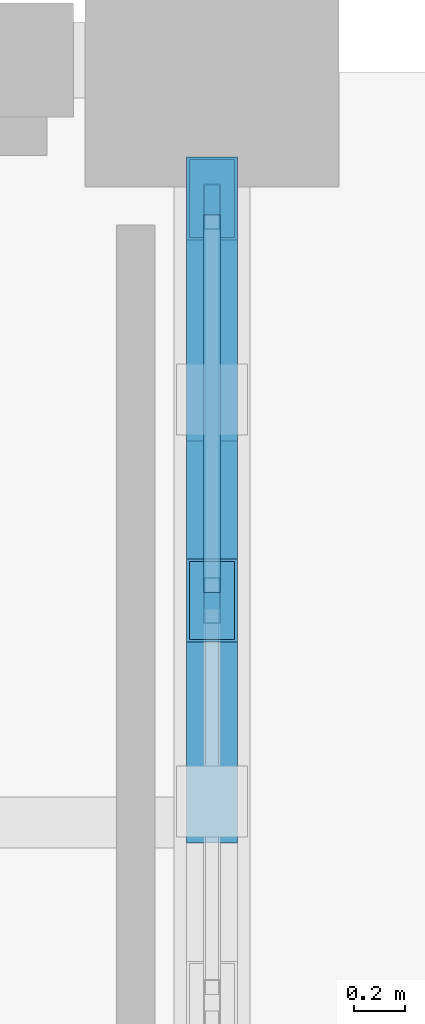
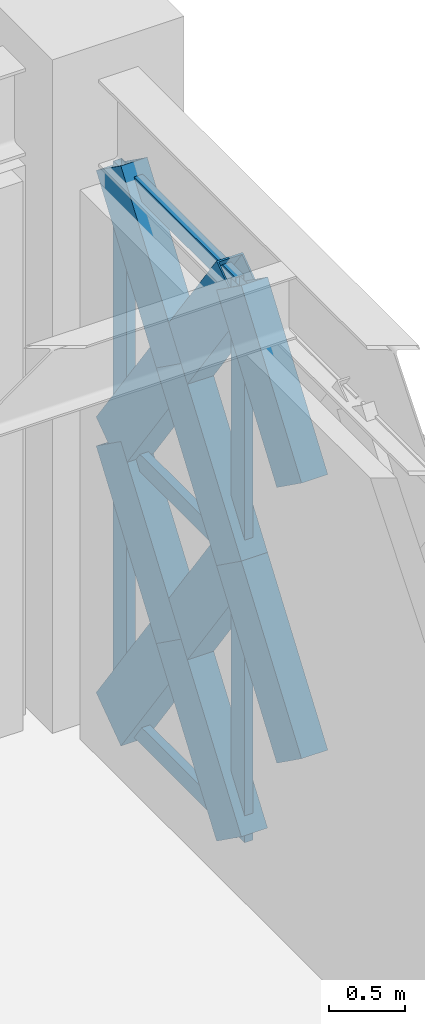
# One storey, part 49 of 140: 13 members, 1 element without a shape of its own.
"""IFC4 building model written with IfcOpenShell, lengths in metres."""

from ifc_helpers import new_model, si_unit, direction, frame, origin, origin_2d, place, context, subcontext, project, spatial, hollow_rectangle, extrude, material, material_profile, profile_set, type_object, element, aggregate, save


model = new_model("IFC4")

# Units and contexts
model_context = context("Model", 3, precision=1e-05, world=origin(), true_north=direction((0.0, 1.0)))
body_context = subcontext(model_context, "Body", "Model", "MODEL_VIEW")
ifc_project = project(units=[si_unit("LENGTHUNIT", "METRE"), si_unit("AREAUNIT", "SQUARE_METRE"), si_unit("VOLUMEUNIT", "CUBIC_METRE"), si_unit("PLANEANGLEUNIT", "RADIAN"), si_unit("MASSUNIT", "GRAM", prefix="KILO")], contexts=[model_context])

# Site, building, storey
site_placement = place(None, origin())
site = spatial("IfcSite", under=ifc_project, at=site_placement, CompositionType="ELEMENT")
building_placement = place(site_placement, origin())
building = spatial("IfcBuilding", under=site, at=building_placement, Name="Haizhuo Lancet Aquarium", CompositionType="ELEMENT")
storey_placement = place(building_placement, origin())
storey = spatial("IfcBuildingStorey", under=building, at=storey_placement, Name="L00", CompositionType="ELEMENT", Elevation=0.0)

# Curtain wall, members
ifc_material_1 = material(Name="Aluminium 6063-T6", Category="aluminium")
curtain_wall_type = type_object("IfcCurtainWallType", Name="CWD-7910x4420", PredefinedType="NOTDEFINED", material=ifc_material_1)
curtain_wall_placement = place(storey_placement, origin())
curtain_wall = element("IfcCurtainWall", 1, at=curtain_wall_placement, inside=storey, type_object=curtain_wall_type, Name="L00 curtain wall CW-V2-L00-016", PredefinedType="NOTDEFINED")
ifc_material_profile_1 = material_profile(ifc_material_1, hollow_rectangle(XDim=0.06494140625, YDim=0.179931640625, WallThickness=0.00390625, at=origin_2d()), Name="ALU-M 65x180x4")
ifc_profile_set_1 = profile_set([ifc_material_profile_1], Name="Aluminium 6063-T6")
member_type_1 = type_object("IfcMemberType", Name="CW-MUL-1", PredefinedType="MULLION", material=ifc_profile_set_1)
member_1_placement = place(storey_placement, frame((-36.0, 26.422119140625, 0.0), z_axis=(0.0, 0.0, 1.0), x_axis=(1.0, 0.0, 0.0)))
member_1 = element("IfcMember", 2, at=member_1_placement, type_object=member_type_1, Name="CWD-79x44 mullion 1", PredefinedType="MULLION", context=body_context, shape_type="SweptSolid", body=[
    extrude(hollow_rectangle(XDim=0.06494140625, YDim=0.179931640625, WallThickness=0.00390625, at=origin_2d()), origin(), (0.0, 0.0, 1.0), 4.419921875),
])
member_2_placement = place(storey_placement, frame((-36.0, 24.873046875, 0.0), z_axis=(0.0, 0.0, 1.0), x_axis=(1.0, 0.0, 0.0)))
member_2 = element("IfcMember", 3, at=member_2_placement, type_object=member_type_1, Name="CWD-79x44 mullion 2", PredefinedType="MULLION", context=body_context, shape_type="SweptSolid", body=[
    extrude(hollow_rectangle(XDim=0.06494140625, YDim=0.179931640625, WallThickness=0.00390625, at=origin_2d()), origin(), (0.0, 0.0, 1.0), 4.419921875),
])
ifc_material_profile_2 = material_profile(ifc_material_1, hollow_rectangle(XDim=0.06494140625, YDim=0.139892578125, WallThickness=0.00390625, at=origin_2d()), Name="ALU-T 65x140x4")
ifc_profile_set_2 = profile_set([ifc_material_profile_2], Name="Aluminium 6063-T6")
member_type_2 = type_object("IfcMemberType", Name="CW-TRN-1", PredefinedType="NOTDEFINED", material=ifc_profile_set_2)
member_3_placement = place(storey_placement, frame((-36.0, 26.389892578125, 0.032958984375), z_axis=(0.0, -1.0, 0.0), x_axis=(1.0, 0.0, 0.0)))
member_3 = element("IfcMember", 4, at=member_3_placement, type_object=member_type_2, Name="CWD-79x44 transom 1.1", ObjectType="TRANSOM", PredefinedType="USERDEFINED", context=body_context, shape_type="SweptSolid", body=[
    extrude(hollow_rectangle(XDim=0.06494140625, YDim=0.139892578125, WallThickness=0.00390625, at=origin_2d()), origin(), (0.0, 0.0, 1.0), 1.48486328125),
])
member_4_placement = place(storey_placement, frame((-36.0, 26.389892578125, 2.2099609375), z_axis=(0.0, -1.0, 0.0), x_axis=(1.0, 0.0, 0.0)))
member_4 = element("IfcMember", 5, at=member_4_placement, type_object=member_type_2, Name="CWD-79x44 transom 1.2", ObjectType="TRANSOM", PredefinedType="USERDEFINED", context=body_context, shape_type="SweptSolid", body=[
    extrude(hollow_rectangle(XDim=0.06494140625, YDim=0.139892578125, WallThickness=0.00390625, at=origin_2d()), origin(), (0.0, 0.0, 1.0), 1.48486328125),
])
member_5_placement = place(storey_placement, frame((-36.0, 26.389892578125, 4.387939453125), z_axis=(0.0, -1.0, 0.0), x_axis=(1.0, 0.0, 0.0)))
member_5 = element("IfcMember", 6, at=member_5_placement, type_object=member_type_2, Name="CWD-79x44 transom 1.3", ObjectType="TRANSOM", PredefinedType="USERDEFINED", context=body_context, shape_type="SweptSolid", body=[
    extrude(hollow_rectangle(XDim=0.06494140625, YDim=0.139892578125, WallThickness=0.00390625, at=origin_2d()), origin(), (0.0, 0.0, 1.0), 1.48486328125),
])
aggregate(curtain_wall, [member_1, member_2, member_3, member_4, member_5])

# Members
ifc_material_2 = material(Name="Steel S355", Category="steel")
ifc_material_profile_3 = material_profile(ifc_material_2, hollow_rectangle(XDim=0.199951171875, YDim=0.39990234375, WallThickness=0.011962890625, at=origin_2d()), Name="RHS 200x400x12")
ifc_profile_set_3 = profile_set([ifc_material_profile_3], Name="Steel S355")
member_type_3 = type_object("IfcMemberType", Name="MEM-LB-RHS200x400", PredefinedType="BRACE", material=ifc_profile_set_3)
member_6_placement = place(storey_placement, frame((-36.0, 26.455078125, 0.0), z_axis=(0.0, -0.582087604305, 0.813126079347), x_axis=(1.0, 0.0, 0.0)))
element("IfcMember", 7, at=member_6_placement, inside=storey, type_object=member_type_3, Name="Gothic lancet continuous diagonal brace CW-V2-L00-016 1A", PredefinedType="BRACE", context=body_context, shape_type="SweptSolid", body=[
    extrude(hollow_rectangle(XDim=0.199951171875, YDim=0.39990234375, WallThickness=0.011962890625, at=origin_2d()), origin(), (0.0, 0.0, 1.0), 2.7177734375),
])
for number, where, z_axis, x_axis, name in (
    (8, (-36.0, 24.873046875, 0.0), (0.0, 0.582087604305, 0.813126079347), (-1.0, 0.0, 0.0), "Gothic lancet split diagonal brace CW-V2-L00-016 1B1"),
    (9, (-36.0, 25.6640625, 1.10498046875), (0.0, 0.582087604305, 0.813126079347), (-1.0, 0.0, 0.0), "Gothic lancet split diagonal brace CW-V2-L00-016 1B2"),
):
    element("IfcMember", number, at=place(storey_placement, frame(where, z_axis=z_axis, x_axis=x_axis)), inside=storey, type_object=member_type_3, Name=name, PredefinedType="BRACE", context=body_context, shape_type="SweptSolid", body=[
        extrude(hollow_rectangle(XDim=0.199951171875, YDim=0.39990234375, WallThickness=0.011962890625, at=origin_2d()), origin(), (0.0, 0.0, 1.0), 1.35888671875),
    ])
member_7_placement = place(storey_placement, frame((-36.0, 26.455078125, 2.2099609375), z_axis=(0.0, -0.582087604305, 0.813126079347), x_axis=(1.0, 0.0, 0.0)))
element("IfcMember", 10, at=member_7_placement, inside=storey, type_object=member_type_3, Name="Gothic lancet continuous diagonal brace CW-V2-L00-016 2A", PredefinedType="BRACE", context=body_context, shape_type="SweptSolid", body=[
    extrude(hollow_rectangle(XDim=0.199951171875, YDim=0.39990234375, WallThickness=0.011962890625, at=origin_2d()), origin(), (0.0, 0.0, 1.0), 2.7177734375),
])
for number, where, z_axis, x_axis, name in (
    (11, (-36.0, 24.873046875, 2.2099609375), (0.0, 0.582087604305, 0.813126079347), (-1.0, 0.0, 0.0), "Gothic lancet split diagonal brace CW-V2-L00-016 2B1"),
    (12, (-36.0, 25.6640625, 3.31494140625), (0.0, 0.582087604305, 0.813126079347), (-1.0, 0.0, 0.0), "Gothic lancet split diagonal brace CW-V2-L00-016 2B2"),
    (13, (-36.0, 24.08203125, 1.10498046875), (0.0, 0.582087604305, 0.813126079347), (-1.0, 0.0, 0.0), "Gothic lancet split diagonal brace CW-V2-L00-016 3B2"),
    (14, (-36.0, 24.08203125, 3.31494140625), (0.0, 0.582087604305, 0.813126079347), (-1.0, 0.0, 0.0), "Gothic lancet split diagonal brace CW-V2-L00-016 4B2"),
):
    element("IfcMember", number, at=place(storey_placement, frame(where, z_axis=z_axis, x_axis=x_axis)), inside=storey, type_object=member_type_3, Name=name, PredefinedType="BRACE", context=body_context, shape_type="SweptSolid", body=[
        extrude(hollow_rectangle(XDim=0.199951171875, YDim=0.39990234375, WallThickness=0.011962890625, at=origin_2d()), origin(), (0.0, 0.0, 1.0), 1.35888671875),
    ])

save(model, "model.ifc")
